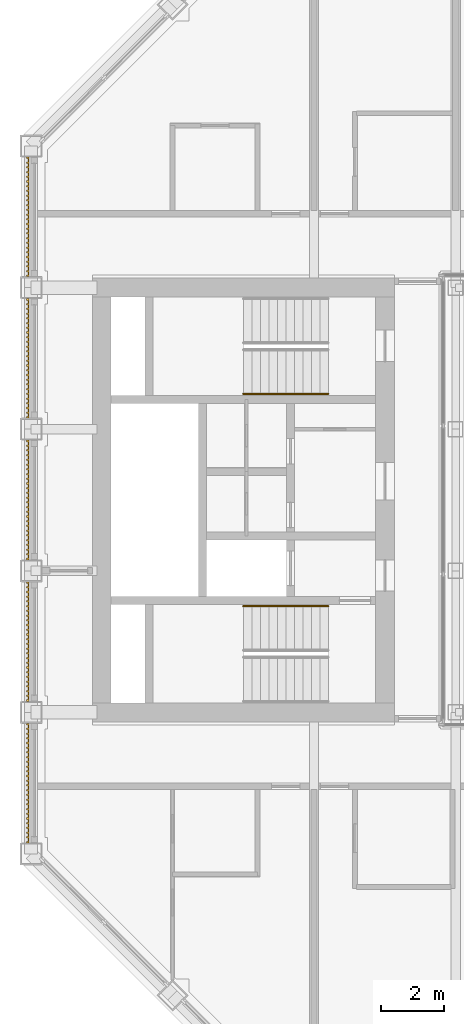
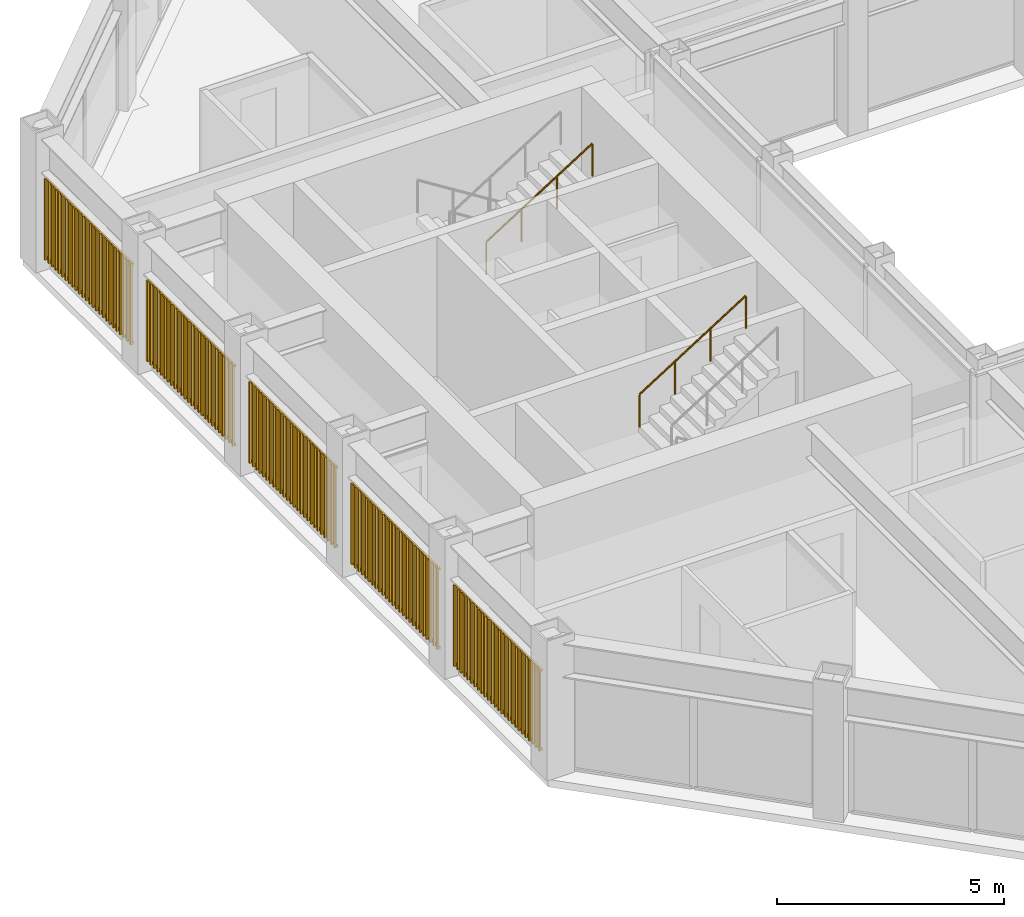
# One storey, part 15 of 17: 2 railings, 1 shading device.
"""IFC4 building model written with IfcOpenShell, lengths in metres."""

from ifc_helpers import new_model, si_unit, direction, frame, origin, origin_2d, place, context, subcontext, project, spatial, rectangle, circle, extrude, material, type_object, element, save


model = new_model("IFC4")

# Units and contexts
model_context = context("Model", 3, precision=1e-05, world=origin(), true_north=direction((0.0, 1.0)))
body_context = subcontext(model_context, "Body", "Model", "MODEL_VIEW")
ifc_project = project(units=[si_unit("LENGTHUNIT", "METRE"), si_unit("AREAUNIT", "SQUARE_METRE"), si_unit("VOLUMEUNIT", "CUBIC_METRE"), si_unit("PLANEANGLEUNIT", "RADIAN"), si_unit("MASSUNIT", "GRAM", prefix="KILO")], contexts=[model_context])

# Site, building, storey
site_placement = place(None, origin())
site = spatial("IfcSite", under=ifc_project, at=site_placement, CompositionType="ELEMENT")
building_placement = place(site_placement, origin())
building = spatial("IfcBuilding", under=site, at=building_placement, Name="Msasa Ring Tower", CompositionType="ELEMENT")
storey_placement = place(building_placement, frame((0.0, 0.0, 238.300048828125)))
storey = spatial("IfcBuildingStorey", under=building, at=storey_placement, Name="L62", CompositionType="ELEMENT", Elevation=238.300048828125)

# Shading device
ifc_material_1 = material(Name="Extruded terracotta on aluminium carriers", Category="masonry")
shading_device_type = type_object("IfcShadingDeviceType", Name="BS1 TERRACOTTA BAGUETTE SCREEN 50x50 AT 150", PredefinedType="USERDEFINED", material=ifc_material_1)
shading_device_placement = place(storey_placement, origin())
element("IfcShadingDevice", 1, at=shading_device_placement, inside=storey, type_object=shading_device_type, Name="Terracotta baguette screen W L62", ObjectType="BAGUETTE", PredefinedType="USERDEFINED", context=body_context, shape_type="SweptSolid", body=[
    extrude(rectangle(XDim=0.06005859375, YDim=0.0400390625, at=origin_2d()), frame((-20.330078125, -10.89990234375, 0.329833984375), z_axis=(0.0, 1.0, 0.0), x_axis=(0.0, 0.0, 1.0)), (0.0, 0.0, 1.0), 3.800048828125),
    extrude(rectangle(XDim=0.06005859375, YDim=0.0400390625, at=origin_2d()), frame((-20.330078125, -10.89990234375, 2.448974609375), z_axis=(0.0, 1.0, 0.0), x_axis=(0.0, 0.0, 1.0)), (0.0, 0.0, 1.0), 3.800048828125),
    extrude(rectangle(XDim=0.050048828125, YDim=0.050048828125, at=origin_2d()), frame((-20.3701171875, -10.875, 0.300048828125), z_axis=(0.0, 0.0, 1.0), x_axis=(0.0, 1.0, 0.0)), (0.0, 0.0, 1.0), 2.178955078125),
    extrude(rectangle(XDim=0.050048828125, YDim=0.050048828125, at=origin_2d()), frame((-20.3701171875, -10.72509765625, 0.300048828125), z_axis=(0.0, 0.0, 1.0), x_axis=(0.0, 1.0, 0.0)), (0.0, 0.0, 1.0), 2.178955078125),
    extrude(rectangle(XDim=0.050048828125, YDim=0.050048828125, at=origin_2d()), frame((-20.3701171875, -10.574951171875, 0.300048828125), z_axis=(0.0, 0.0, 1.0), x_axis=(0.0, 1.0, 0.0)), (0.0, 0.0, 1.0), 2.178955078125),
    extrude(rectangle(XDim=0.050048828125, YDim=0.050048828125, at=origin_2d()), frame((-20.3701171875, -10.425048828125, 0.300048828125), z_axis=(0.0, 0.0, 1.0), x_axis=(0.0, 1.0, 0.0)), (0.0, 0.0, 1.0), 2.178955078125),
    extrude(rectangle(XDim=0.050048828125, YDim=0.050048828125, at=origin_2d()), frame((-20.3701171875, -10.27490234375, 0.300048828125), z_axis=(0.0, 0.0, 1.0), x_axis=(0.0, 1.0, 0.0)), (0.0, 0.0, 1.0), 2.178955078125),
    extrude(rectangle(XDim=0.050048828125, YDim=0.050048828125, at=origin_2d()), frame((-20.3701171875, -10.125, 0.300048828125), z_axis=(0.0, 0.0, 1.0), x_axis=(0.0, 1.0, 0.0)), (0.0, 0.0, 1.0), 2.178955078125),
    extrude(rectangle(XDim=0.050048828125, YDim=0.050048828125, at=origin_2d()), frame((-20.3701171875, -9.97509765625, 0.300048828125), z_axis=(0.0, 0.0, 1.0), x_axis=(0.0, 1.0, 0.0)), (0.0, 0.0, 1.0), 2.178955078125),
    extrude(rectangle(XDim=0.050048828125, YDim=0.050048828125, at=origin_2d()), frame((-20.3701171875, -9.824951171875, 0.300048828125), z_axis=(0.0, 0.0, 1.0), x_axis=(0.0, 1.0, 0.0)), (0.0, 0.0, 1.0), 2.178955078125),
    extrude(rectangle(XDim=0.050048828125, YDim=0.050048828125, at=origin_2d()), frame((-20.3701171875, -9.675048828125, 0.300048828125), z_axis=(0.0, 0.0, 1.0), x_axis=(0.0, 1.0, 0.0)), (0.0, 0.0, 1.0), 2.178955078125),
    extrude(rectangle(XDim=0.050048828125, YDim=0.050048828125, at=origin_2d()), frame((-20.3701171875, -9.52490234375, 0.300048828125), z_axis=(0.0, 0.0, 1.0), x_axis=(0.0, 1.0, 0.0)), (0.0, 0.0, 1.0), 2.178955078125),
    extrude(rectangle(XDim=0.050048828125, YDim=0.050048828125, at=origin_2d()), frame((-20.3701171875, -9.375, 0.300048828125), z_axis=(0.0, 0.0, 1.0), x_axis=(0.0, 1.0, 0.0)), (0.0, 0.0, 1.0), 2.178955078125),
    extrude(rectangle(XDim=0.050048828125, YDim=0.050048828125, at=origin_2d()), frame((-20.3701171875, -9.22509765625, 0.300048828125), z_axis=(0.0, 0.0, 1.0), x_axis=(0.0, 1.0, 0.0)), (0.0, 0.0, 1.0), 2.178955078125),
    extrude(rectangle(XDim=0.050048828125, YDim=0.050048828125, at=origin_2d()), frame((-20.3701171875, -9.074951171875, 0.300048828125), z_axis=(0.0, 0.0, 1.0), x_axis=(0.0, 1.0, 0.0)), (0.0, 0.0, 1.0), 2.178955078125),
    extrude(rectangle(XDim=0.050048828125, YDim=0.050048828125, at=origin_2d()), frame((-20.3701171875, -8.925048828125, 0.300048828125), z_axis=(0.0, 0.0, 1.0), x_axis=(0.0, 1.0, 0.0)), (0.0, 0.0, 1.0), 2.178955078125),
    extrude(rectangle(XDim=0.050048828125, YDim=0.050048828125, at=origin_2d()), frame((-20.3701171875, -8.77490234375, 0.300048828125), z_axis=(0.0, 0.0, 1.0), x_axis=(0.0, 1.0, 0.0)), (0.0, 0.0, 1.0), 2.178955078125),
    extrude(rectangle(XDim=0.050048828125, YDim=0.050048828125, at=origin_2d()), frame((-20.3701171875, -8.625, 0.300048828125), z_axis=(0.0, 0.0, 1.0), x_axis=(0.0, 1.0, 0.0)), (0.0, 0.0, 1.0), 2.178955078125),
    extrude(rectangle(XDim=0.050048828125, YDim=0.050048828125, at=origin_2d()), frame((-20.3701171875, -8.47509765625, 0.300048828125), z_axis=(0.0, 0.0, 1.0), x_axis=(0.0, 1.0, 0.0)), (0.0, 0.0, 1.0), 2.178955078125),
    extrude(rectangle(XDim=0.050048828125, YDim=0.050048828125, at=origin_2d()), frame((-20.3701171875, -8.324951171875, 0.300048828125), z_axis=(0.0, 0.0, 1.0), x_axis=(0.0, 1.0, 0.0)), (0.0, 0.0, 1.0), 2.178955078125),
    extrude(rectangle(XDim=0.050048828125, YDim=0.050048828125, at=origin_2d()), frame((-20.3701171875, -8.175048828125, 0.300048828125), z_axis=(0.0, 0.0, 1.0), x_axis=(0.0, 1.0, 0.0)), (0.0, 0.0, 1.0), 2.178955078125),
    extrude(rectangle(XDim=0.050048828125, YDim=0.050048828125, at=origin_2d()), frame((-20.3701171875, -8.02490234375, 0.300048828125), z_axis=(0.0, 0.0, 1.0), x_axis=(0.0, 1.0, 0.0)), (0.0, 0.0, 1.0), 2.178955078125),
    extrude(rectangle(XDim=0.050048828125, YDim=0.050048828125, at=origin_2d()), frame((-20.3701171875, -7.875, 0.300048828125), z_axis=(0.0, 0.0, 1.0), x_axis=(0.0, 1.0, 0.0)), (0.0, 0.0, 1.0), 2.178955078125),
    extrude(rectangle(XDim=0.050048828125, YDim=0.050048828125, at=origin_2d()), frame((-20.3701171875, -7.72509765625, 0.300048828125), z_axis=(0.0, 0.0, 1.0), x_axis=(0.0, 1.0, 0.0)), (0.0, 0.0, 1.0), 2.178955078125),
    extrude(rectangle(XDim=0.050048828125, YDim=0.050048828125, at=origin_2d()), frame((-20.3701171875, -7.574951171875, 0.300048828125), z_axis=(0.0, 0.0, 1.0), x_axis=(0.0, 1.0, 0.0)), (0.0, 0.0, 1.0), 2.178955078125),
    extrude(rectangle(XDim=0.050048828125, YDim=0.050048828125, at=origin_2d()), frame((-20.3701171875, -7.425048828125, 0.300048828125), z_axis=(0.0, 0.0, 1.0), x_axis=(0.0, 1.0, 0.0)), (0.0, 0.0, 1.0), 2.178955078125),
    extrude(rectangle(XDim=0.050048828125, YDim=0.050048828125, at=origin_2d()), frame((-20.3701171875, -7.27490234375, 0.300048828125), z_axis=(0.0, 0.0, 1.0), x_axis=(0.0, 1.0, 0.0)), (0.0, 0.0, 1.0), 2.178955078125),
    extrude(rectangle(XDim=0.050048828125, YDim=0.050048828125, at=origin_2d()), frame((-20.3701171875, -7.125, 0.300048828125), z_axis=(0.0, 0.0, 1.0), x_axis=(0.0, 1.0, 0.0)), (0.0, 0.0, 1.0), 2.178955078125),
    extrude(rectangle(XDim=0.06005859375, YDim=0.0400390625, at=origin_2d()), frame((-20.330078125, -6.39990234375, 0.329833984375), z_axis=(0.0, 1.0, 0.0), x_axis=(0.0, 0.0, 1.0)), (0.0, 0.0, 1.0), 3.800048828125),
    extrude(rectangle(XDim=0.06005859375, YDim=0.0400390625, at=origin_2d()), frame((-20.330078125, -6.39990234375, 2.448974609375), z_axis=(0.0, 1.0, 0.0), x_axis=(0.0, 0.0, 1.0)), (0.0, 0.0, 1.0), 3.800048828125),
    extrude(rectangle(XDim=0.050048828125, YDim=0.050048828125, at=origin_2d()), frame((-20.3701171875, -6.375, 0.300048828125), z_axis=(0.0, 0.0, 1.0), x_axis=(0.0, 1.0, 0.0)), (0.0, 0.0, 1.0), 2.178955078125),
    extrude(rectangle(XDim=0.050048828125, YDim=0.050048828125, at=origin_2d()), frame((-20.3701171875, -6.22509765625, 0.300048828125), z_axis=(0.0, 0.0, 1.0), x_axis=(0.0, 1.0, 0.0)), (0.0, 0.0, 1.0), 2.178955078125),
    extrude(rectangle(XDim=0.050048828125, YDim=0.050048828125, at=origin_2d()), frame((-20.3701171875, -6.074951171875, 0.300048828125), z_axis=(0.0, 0.0, 1.0), x_axis=(0.0, 1.0, 0.0)), (0.0, 0.0, 1.0), 2.178955078125),
    extrude(rectangle(XDim=0.050048828125, YDim=0.050048828125, at=origin_2d()), frame((-20.3701171875, -5.925048828125, 0.300048828125), z_axis=(0.0, 0.0, 1.0), x_axis=(0.0, 1.0, 0.0)), (0.0, 0.0, 1.0), 2.178955078125),
    extrude(rectangle(XDim=0.050048828125, YDim=0.050048828125, at=origin_2d()), frame((-20.3701171875, -5.77490234375, 0.300048828125), z_axis=(0.0, 0.0, 1.0), x_axis=(0.0, 1.0, 0.0)), (0.0, 0.0, 1.0), 2.178955078125),
    extrude(rectangle(XDim=0.050048828125, YDim=0.050048828125, at=origin_2d()), frame((-20.3701171875, -5.625, 0.300048828125), z_axis=(0.0, 0.0, 1.0), x_axis=(0.0, 1.0, 0.0)), (0.0, 0.0, 1.0), 2.178955078125),
    extrude(rectangle(XDim=0.050048828125, YDim=0.050048828125, at=origin_2d()), frame((-20.3701171875, -5.47509765625, 0.300048828125), z_axis=(0.0, 0.0, 1.0), x_axis=(0.0, 1.0, 0.0)), (0.0, 0.0, 1.0), 2.178955078125),
    extrude(rectangle(XDim=0.050048828125, YDim=0.050048828125, at=origin_2d()), frame((-20.3701171875, -5.324951171875, 0.300048828125), z_axis=(0.0, 0.0, 1.0), x_axis=(0.0, 1.0, 0.0)), (0.0, 0.0, 1.0), 2.178955078125),
    extrude(rectangle(XDim=0.050048828125, YDim=0.050048828125, at=origin_2d()), frame((-20.3701171875, -5.175048828125, 0.300048828125), z_axis=(0.0, 0.0, 1.0), x_axis=(0.0, 1.0, 0.0)), (0.0, 0.0, 1.0), 2.178955078125),
    extrude(rectangle(XDim=0.050048828125, YDim=0.050048828125, at=origin_2d()), frame((-20.3701171875, -5.02490234375, 0.300048828125), z_axis=(0.0, 0.0, 1.0), x_axis=(0.0, 1.0, 0.0)), (0.0, 0.0, 1.0), 2.178955078125),
    extrude(rectangle(XDim=0.050048828125, YDim=0.050048828125, at=origin_2d()), frame((-20.3701171875, -4.875, 0.300048828125), z_axis=(0.0, 0.0, 1.0), x_axis=(0.0, 1.0, 0.0)), (0.0, 0.0, 1.0), 2.178955078125),
    extrude(rectangle(XDim=0.050048828125, YDim=0.050048828125, at=origin_2d()), frame((-20.3701171875, -4.72509765625, 0.300048828125), z_axis=(0.0, 0.0, 1.0), x_axis=(0.0, 1.0, 0.0)), (0.0, 0.0, 1.0), 2.178955078125),
    extrude(rectangle(XDim=0.050048828125, YDim=0.050048828125, at=origin_2d()), frame((-20.3701171875, -4.574951171875, 0.300048828125), z_axis=(0.0, 0.0, 1.0), x_axis=(0.0, 1.0, 0.0)), (0.0, 0.0, 1.0), 2.178955078125),
    extrude(rectangle(XDim=0.050048828125, YDim=0.050048828125, at=origin_2d()), frame((-20.3701171875, -4.425048828125, 0.300048828125), z_axis=(0.0, 0.0, 1.0), x_axis=(0.0, 1.0, 0.0)), (0.0, 0.0, 1.0), 2.178955078125),
    extrude(rectangle(XDim=0.050048828125, YDim=0.050048828125, at=origin_2d()), frame((-20.3701171875, -4.27490234375, 0.300048828125), z_axis=(0.0, 0.0, 1.0), x_axis=(0.0, 1.0, 0.0)), (0.0, 0.0, 1.0), 2.178955078125),
    extrude(rectangle(XDim=0.050048828125, YDim=0.050048828125, at=origin_2d()), frame((-20.3701171875, -4.125, 0.300048828125), z_axis=(0.0, 0.0, 1.0), x_axis=(0.0, 1.0, 0.0)), (0.0, 0.0, 1.0), 2.178955078125),
    extrude(rectangle(XDim=0.050048828125, YDim=0.050048828125, at=origin_2d()), frame((-20.3701171875, -3.97509765625, 0.300048828125), z_axis=(0.0, 0.0, 1.0), x_axis=(0.0, 1.0, 0.0)), (0.0, 0.0, 1.0), 2.178955078125),
    extrude(rectangle(XDim=0.050048828125, YDim=0.050048828125, at=origin_2d()), frame((-20.3701171875, -3.824951171875, 0.300048828125), z_axis=(0.0, 0.0, 1.0), x_axis=(0.0, 1.0, 0.0)), (0.0, 0.0, 1.0), 2.178955078125),
    extrude(rectangle(XDim=0.050048828125, YDim=0.050048828125, at=origin_2d()), frame((-20.3701171875, -3.675048828125, 0.300048828125), z_axis=(0.0, 0.0, 1.0), x_axis=(0.0, 1.0, 0.0)), (0.0, 0.0, 1.0), 2.178955078125),
    extrude(rectangle(XDim=0.050048828125, YDim=0.050048828125, at=origin_2d()), frame((-20.3701171875, -3.52490234375, 0.300048828125), z_axis=(0.0, 0.0, 1.0), x_axis=(0.0, 1.0, 0.0)), (0.0, 0.0, 1.0), 2.178955078125),
    extrude(rectangle(XDim=0.050048828125, YDim=0.050048828125, at=origin_2d()), frame((-20.3701171875, -3.375, 0.300048828125), z_axis=(0.0, 0.0, 1.0), x_axis=(0.0, 1.0, 0.0)), (0.0, 0.0, 1.0), 2.178955078125),
    extrude(rectangle(XDim=0.050048828125, YDim=0.050048828125, at=origin_2d()), frame((-20.3701171875, -3.22509765625, 0.300048828125), z_axis=(0.0, 0.0, 1.0), x_axis=(0.0, 1.0, 0.0)), (0.0, 0.0, 1.0), 2.178955078125),
    extrude(rectangle(XDim=0.050048828125, YDim=0.050048828125, at=origin_2d()), frame((-20.3701171875, -3.074951171875, 0.300048828125), z_axis=(0.0, 0.0, 1.0), x_axis=(0.0, 1.0, 0.0)), (0.0, 0.0, 1.0), 2.178955078125),
    extrude(rectangle(XDim=0.050048828125, YDim=0.050048828125, at=origin_2d()), frame((-20.3701171875, -2.925048828125, 0.300048828125), z_axis=(0.0, 0.0, 1.0), x_axis=(0.0, 1.0, 0.0)), (0.0, 0.0, 1.0), 2.178955078125),
    extrude(rectangle(XDim=0.050048828125, YDim=0.050048828125, at=origin_2d()), frame((-20.3701171875, -2.77490234375, 0.300048828125), z_axis=(0.0, 0.0, 1.0), x_axis=(0.0, 1.0, 0.0)), (0.0, 0.0, 1.0), 2.178955078125),
    extrude(rectangle(XDim=0.050048828125, YDim=0.050048828125, at=origin_2d()), frame((-20.3701171875, -2.625, 0.300048828125), z_axis=(0.0, 0.0, 1.0), x_axis=(0.0, 1.0, 0.0)), (0.0, 0.0, 1.0), 2.178955078125),
    extrude(rectangle(XDim=0.06005859375, YDim=0.0400390625, at=origin_2d()), frame((-20.330078125, -1.89990234375, 0.329833984375), z_axis=(0.0, 1.0, 0.0), x_axis=(0.0, 0.0, 1.0)), (0.0, 0.0, 1.0), 3.800048828125),
    extrude(rectangle(XDim=0.06005859375, YDim=0.0400390625, at=origin_2d()), frame((-20.330078125, -1.89990234375, 2.448974609375), z_axis=(0.0, 1.0, 0.0), x_axis=(0.0, 0.0, 1.0)), (0.0, 0.0, 1.0), 3.800048828125),
    extrude(rectangle(XDim=0.050048828125, YDim=0.050048828125, at=origin_2d()), frame((-20.3701171875, -1.875, 0.300048828125), z_axis=(0.0, 0.0, 1.0), x_axis=(0.0, 1.0, 0.0)), (0.0, 0.0, 1.0), 2.178955078125),
    extrude(rectangle(XDim=0.050048828125, YDim=0.050048828125, at=origin_2d()), frame((-20.3701171875, -1.72509765625, 0.300048828125), z_axis=(0.0, 0.0, 1.0), x_axis=(0.0, 1.0, 0.0)), (0.0, 0.0, 1.0), 2.178955078125),
    extrude(rectangle(XDim=0.050048828125, YDim=0.050048828125, at=origin_2d()), frame((-20.3701171875, -1.574951171875, 0.300048828125), z_axis=(0.0, 0.0, 1.0), x_axis=(0.0, 1.0, 0.0)), (0.0, 0.0, 1.0), 2.178955078125),
    extrude(rectangle(XDim=0.050048828125, YDim=0.050048828125, at=origin_2d()), frame((-20.3701171875, -1.425048828125, 0.300048828125), z_axis=(0.0, 0.0, 1.0), x_axis=(0.0, 1.0, 0.0)), (0.0, 0.0, 1.0), 2.178955078125),
    extrude(rectangle(XDim=0.050048828125, YDim=0.050048828125, at=origin_2d()), frame((-20.3701171875, -1.27490234375, 0.300048828125), z_axis=(0.0, 0.0, 1.0), x_axis=(0.0, 1.0, 0.0)), (0.0, 0.0, 1.0), 2.178955078125),
    extrude(rectangle(XDim=0.050048828125, YDim=0.050048828125, at=origin_2d()), frame((-20.3701171875, -1.125, 0.300048828125), z_axis=(0.0, 0.0, 1.0), x_axis=(0.0, 1.0, 0.0)), (0.0, 0.0, 1.0), 2.178955078125),
    extrude(rectangle(XDim=0.050048828125, YDim=0.050048828125, at=origin_2d()), frame((-20.3701171875, -0.97509765625, 0.300048828125), z_axis=(0.0, 0.0, 1.0), x_axis=(0.0, 1.0, 0.0)), (0.0, 0.0, 1.0), 2.178955078125),
    extrude(rectangle(XDim=0.050048828125, YDim=0.050048828125, at=origin_2d()), frame((-20.3701171875, -0.824951171875, 0.300048828125), z_axis=(0.0, 0.0, 1.0), x_axis=(0.0, 1.0, 0.0)), (0.0, 0.0, 1.0), 2.178955078125),
    extrude(rectangle(XDim=0.050048828125, YDim=0.050048828125, at=origin_2d()), frame((-20.3701171875, -0.675048828125, 0.300048828125), z_axis=(0.0, 0.0, 1.0), x_axis=(0.0, 1.0, 0.0)), (0.0, 0.0, 1.0), 2.178955078125),
    extrude(rectangle(XDim=0.050048828125, YDim=0.050048828125, at=origin_2d()), frame((-20.3701171875, -0.52490234375, 0.300048828125), z_axis=(0.0, 0.0, 1.0), x_axis=(0.0, 1.0, 0.0)), (0.0, 0.0, 1.0), 2.178955078125),
    extrude(rectangle(XDim=0.050048828125, YDim=0.050048828125, at=origin_2d()), frame((-20.3701171875, -0.375, 0.300048828125), z_axis=(0.0, 0.0, 1.0), x_axis=(0.0, 1.0, 0.0)), (0.0, 0.0, 1.0), 2.178955078125),
    extrude(rectangle(XDim=0.050048828125, YDim=0.050048828125, at=origin_2d()), frame((-20.3701171875, -0.22509765625, 0.300048828125), z_axis=(0.0, 0.0, 1.0), x_axis=(0.0, 1.0, 0.0)), (0.0, 0.0, 1.0), 2.178955078125),
    extrude(rectangle(XDim=0.050048828125, YDim=0.050048828125, at=origin_2d()), frame((-20.3701171875, -0.074951171875, 0.300048828125), z_axis=(0.0, 0.0, 1.0), x_axis=(0.0, 1.0, 0.0)), (0.0, 0.0, 1.0), 2.178955078125),
    extrude(rectangle(XDim=0.050048828125, YDim=0.050048828125, at=origin_2d()), frame((-20.3701171875, 0.074951171875, 0.300048828125), z_axis=(0.0, 0.0, 1.0), x_axis=(0.0, 1.0, 0.0)), (0.0, 0.0, 1.0), 2.178955078125),
    extrude(rectangle(XDim=0.050048828125, YDim=0.050048828125, at=origin_2d()), frame((-20.3701171875, 0.22509765625, 0.300048828125), z_axis=(0.0, 0.0, 1.0), x_axis=(0.0, 1.0, 0.0)), (0.0, 0.0, 1.0), 2.178955078125),
    extrude(rectangle(XDim=0.050048828125, YDim=0.050048828125, at=origin_2d()), frame((-20.3701171875, 0.375, 0.300048828125), z_axis=(0.0, 0.0, 1.0), x_axis=(0.0, 1.0, 0.0)), (0.0, 0.0, 1.0), 2.178955078125),
    extrude(rectangle(XDim=0.050048828125, YDim=0.050048828125, at=origin_2d()), frame((-20.3701171875, 0.52490234375, 0.300048828125), z_axis=(0.0, 0.0, 1.0), x_axis=(0.0, 1.0, 0.0)), (0.0, 0.0, 1.0), 2.178955078125),
    extrude(rectangle(XDim=0.050048828125, YDim=0.050048828125, at=origin_2d()), frame((-20.3701171875, 0.675048828125, 0.300048828125), z_axis=(0.0, 0.0, 1.0), x_axis=(0.0, 1.0, 0.0)), (0.0, 0.0, 1.0), 2.178955078125),
    extrude(rectangle(XDim=0.050048828125, YDim=0.050048828125, at=origin_2d()), frame((-20.3701171875, 0.824951171875, 0.300048828125), z_axis=(0.0, 0.0, 1.0), x_axis=(0.0, 1.0, 0.0)), (0.0, 0.0, 1.0), 2.178955078125),
    extrude(rectangle(XDim=0.050048828125, YDim=0.050048828125, at=origin_2d()), frame((-20.3701171875, 0.97509765625, 0.300048828125), z_axis=(0.0, 0.0, 1.0), x_axis=(0.0, 1.0, 0.0)), (0.0, 0.0, 1.0), 2.178955078125),
    extrude(rectangle(XDim=0.050048828125, YDim=0.050048828125, at=origin_2d()), frame((-20.3701171875, 1.125, 0.300048828125), z_axis=(0.0, 0.0, 1.0), x_axis=(0.0, 1.0, 0.0)), (0.0, 0.0, 1.0), 2.178955078125),
    extrude(rectangle(XDim=0.050048828125, YDim=0.050048828125, at=origin_2d()), frame((-20.3701171875, 1.27490234375, 0.300048828125), z_axis=(0.0, 0.0, 1.0), x_axis=(0.0, 1.0, 0.0)), (0.0, 0.0, 1.0), 2.178955078125),
    extrude(rectangle(XDim=0.050048828125, YDim=0.050048828125, at=origin_2d()), frame((-20.3701171875, 1.425048828125, 0.300048828125), z_axis=(0.0, 0.0, 1.0), x_axis=(0.0, 1.0, 0.0)), (0.0, 0.0, 1.0), 2.178955078125),
    extrude(rectangle(XDim=0.050048828125, YDim=0.050048828125, at=origin_2d()), frame((-20.3701171875, 1.574951171875, 0.300048828125), z_axis=(0.0, 0.0, 1.0), x_axis=(0.0, 1.0, 0.0)), (0.0, 0.0, 1.0), 2.178955078125),
    extrude(rectangle(XDim=0.050048828125, YDim=0.050048828125, at=origin_2d()), frame((-20.3701171875, 1.72509765625, 0.300048828125), z_axis=(0.0, 0.0, 1.0), x_axis=(0.0, 1.0, 0.0)), (0.0, 0.0, 1.0), 2.178955078125),
    extrude(rectangle(XDim=0.050048828125, YDim=0.050048828125, at=origin_2d()), frame((-20.3701171875, 1.875, 0.300048828125), z_axis=(0.0, 0.0, 1.0), x_axis=(0.0, 1.0, 0.0)), (0.0, 0.0, 1.0), 2.178955078125),
    extrude(rectangle(XDim=0.06005859375, YDim=0.0400390625, at=origin_2d()), frame((-20.330078125, 2.60009765625, 0.329833984375), z_axis=(0.0, 1.0, 0.0), x_axis=(0.0, 0.0, 1.0)), (0.0, 0.0, 1.0), 3.800048828125),
    extrude(rectangle(XDim=0.06005859375, YDim=0.0400390625, at=origin_2d()), frame((-20.330078125, 2.60009765625, 2.448974609375), z_axis=(0.0, 1.0, 0.0), x_axis=(0.0, 0.0, 1.0)), (0.0, 0.0, 1.0), 3.800048828125),
    extrude(rectangle(XDim=0.050048828125, YDim=0.050048828125, at=origin_2d()), frame((-20.3701171875, 2.625, 0.300048828125), z_axis=(0.0, 0.0, 1.0), x_axis=(0.0, 1.0, 0.0)), (0.0, 0.0, 1.0), 2.178955078125),
    extrude(rectangle(XDim=0.050048828125, YDim=0.050048828125, at=origin_2d()), frame((-20.3701171875, 2.77490234375, 0.300048828125), z_axis=(0.0, 0.0, 1.0), x_axis=(0.0, 1.0, 0.0)), (0.0, 0.0, 1.0), 2.178955078125),
    extrude(rectangle(XDim=0.050048828125, YDim=0.050048828125, at=origin_2d()), frame((-20.3701171875, 2.925048828125, 0.300048828125), z_axis=(0.0, 0.0, 1.0), x_axis=(0.0, 1.0, 0.0)), (0.0, 0.0, 1.0), 2.178955078125),
    extrude(rectangle(XDim=0.050048828125, YDim=0.050048828125, at=origin_2d()), frame((-20.3701171875, 3.074951171875, 0.300048828125), z_axis=(0.0, 0.0, 1.0), x_axis=(0.0, 1.0, 0.0)), (0.0, 0.0, 1.0), 2.178955078125),
    extrude(rectangle(XDim=0.050048828125, YDim=0.050048828125, at=origin_2d()), frame((-20.3701171875, 3.22509765625, 0.300048828125), z_axis=(0.0, 0.0, 1.0), x_axis=(0.0, 1.0, 0.0)), (0.0, 0.0, 1.0), 2.178955078125),
    extrude(rectangle(XDim=0.050048828125, YDim=0.050048828125, at=origin_2d()), frame((-20.3701171875, 3.375, 0.300048828125), z_axis=(0.0, 0.0, 1.0), x_axis=(0.0, 1.0, 0.0)), (0.0, 0.0, 1.0), 2.178955078125),
    extrude(rectangle(XDim=0.050048828125, YDim=0.050048828125, at=origin_2d()), frame((-20.3701171875, 3.52490234375, 0.300048828125), z_axis=(0.0, 0.0, 1.0), x_axis=(0.0, 1.0, 0.0)), (0.0, 0.0, 1.0), 2.178955078125),
    extrude(rectangle(XDim=0.050048828125, YDim=0.050048828125, at=origin_2d()), frame((-20.3701171875, 3.675048828125, 0.300048828125), z_axis=(0.0, 0.0, 1.0), x_axis=(0.0, 1.0, 0.0)), (0.0, 0.0, 1.0), 2.178955078125),
    extrude(rectangle(XDim=0.050048828125, YDim=0.050048828125, at=origin_2d()), frame((-20.3701171875, 3.824951171875, 0.300048828125), z_axis=(0.0, 0.0, 1.0), x_axis=(0.0, 1.0, 0.0)), (0.0, 0.0, 1.0), 2.178955078125),
    extrude(rectangle(XDim=0.050048828125, YDim=0.050048828125, at=origin_2d()), frame((-20.3701171875, 3.97509765625, 0.300048828125), z_axis=(0.0, 0.0, 1.0), x_axis=(0.0, 1.0, 0.0)), (0.0, 0.0, 1.0), 2.178955078125),
    extrude(rectangle(XDim=0.050048828125, YDim=0.050048828125, at=origin_2d()), frame((-20.3701171875, 4.125, 0.300048828125), z_axis=(0.0, 0.0, 1.0), x_axis=(0.0, 1.0, 0.0)), (0.0, 0.0, 1.0), 2.178955078125),
    extrude(rectangle(XDim=0.050048828125, YDim=0.050048828125, at=origin_2d()), frame((-20.3701171875, 4.27490234375, 0.300048828125), z_axis=(0.0, 0.0, 1.0), x_axis=(0.0, 1.0, 0.0)), (0.0, 0.0, 1.0), 2.178955078125),
    extrude(rectangle(XDim=0.050048828125, YDim=0.050048828125, at=origin_2d()), frame((-20.3701171875, 4.425048828125, 0.300048828125), z_axis=(0.0, 0.0, 1.0), x_axis=(0.0, 1.0, 0.0)), (0.0, 0.0, 1.0), 2.178955078125),
    extrude(rectangle(XDim=0.050048828125, YDim=0.050048828125, at=origin_2d()), frame((-20.3701171875, 4.574951171875, 0.300048828125), z_axis=(0.0, 0.0, 1.0), x_axis=(0.0, 1.0, 0.0)), (0.0, 0.0, 1.0), 2.178955078125),
    extrude(rectangle(XDim=0.050048828125, YDim=0.050048828125, at=origin_2d()), frame((-20.3701171875, 4.72509765625, 0.300048828125), z_axis=(0.0, 0.0, 1.0), x_axis=(0.0, 1.0, 0.0)), (0.0, 0.0, 1.0), 2.178955078125),
    extrude(rectangle(XDim=0.050048828125, YDim=0.050048828125, at=origin_2d()), frame((-20.3701171875, 4.875, 0.300048828125), z_axis=(0.0, 0.0, 1.0), x_axis=(0.0, 1.0, 0.0)), (0.0, 0.0, 1.0), 2.178955078125),
    extrude(rectangle(XDim=0.050048828125, YDim=0.050048828125, at=origin_2d()), frame((-20.3701171875, 5.02490234375, 0.300048828125), z_axis=(0.0, 0.0, 1.0), x_axis=(0.0, 1.0, 0.0)), (0.0, 0.0, 1.0), 2.178955078125),
    extrude(rectangle(XDim=0.050048828125, YDim=0.050048828125, at=origin_2d()), frame((-20.3701171875, 5.175048828125, 0.300048828125), z_axis=(0.0, 0.0, 1.0), x_axis=(0.0, 1.0, 0.0)), (0.0, 0.0, 1.0), 2.178955078125),
    extrude(rectangle(XDim=0.050048828125, YDim=0.050048828125, at=origin_2d()), frame((-20.3701171875, 5.324951171875, 0.300048828125), z_axis=(0.0, 0.0, 1.0), x_axis=(0.0, 1.0, 0.0)), (0.0, 0.0, 1.0), 2.178955078125),
    extrude(rectangle(XDim=0.050048828125, YDim=0.050048828125, at=origin_2d()), frame((-20.3701171875, 5.47509765625, 0.300048828125), z_axis=(0.0, 0.0, 1.0), x_axis=(0.0, 1.0, 0.0)), (0.0, 0.0, 1.0), 2.178955078125),
    extrude(rectangle(XDim=0.050048828125, YDim=0.050048828125, at=origin_2d()), frame((-20.3701171875, 5.625, 0.300048828125), z_axis=(0.0, 0.0, 1.0), x_axis=(0.0, 1.0, 0.0)), (0.0, 0.0, 1.0), 2.178955078125),
    extrude(rectangle(XDim=0.050048828125, YDim=0.050048828125, at=origin_2d()), frame((-20.3701171875, 5.77490234375, 0.300048828125), z_axis=(0.0, 0.0, 1.0), x_axis=(0.0, 1.0, 0.0)), (0.0, 0.0, 1.0), 2.178955078125),
    extrude(rectangle(XDim=0.050048828125, YDim=0.050048828125, at=origin_2d()), frame((-20.3701171875, 5.925048828125, 0.300048828125), z_axis=(0.0, 0.0, 1.0), x_axis=(0.0, 1.0, 0.0)), (0.0, 0.0, 1.0), 2.178955078125),
    extrude(rectangle(XDim=0.050048828125, YDim=0.050048828125, at=origin_2d()), frame((-20.3701171875, 6.074951171875, 0.300048828125), z_axis=(0.0, 0.0, 1.0), x_axis=(0.0, 1.0, 0.0)), (0.0, 0.0, 1.0), 2.178955078125),
    extrude(rectangle(XDim=0.050048828125, YDim=0.050048828125, at=origin_2d()), frame((-20.3701171875, 6.22509765625, 0.300048828125), z_axis=(0.0, 0.0, 1.0), x_axis=(0.0, 1.0, 0.0)), (0.0, 0.0, 1.0), 2.178955078125),
    extrude(rectangle(XDim=0.050048828125, YDim=0.050048828125, at=origin_2d()), frame((-20.3701171875, 6.375, 0.300048828125), z_axis=(0.0, 0.0, 1.0), x_axis=(0.0, 1.0, 0.0)), (0.0, 0.0, 1.0), 2.178955078125),
    extrude(rectangle(XDim=0.06005859375, YDim=0.0400390625, at=origin_2d()), frame((-20.330078125, 7.10009765625, 0.329833984375), z_axis=(0.0, 1.0, 0.0), x_axis=(0.0, 0.0, 1.0)), (0.0, 0.0, 1.0), 3.800048828125),
    extrude(rectangle(XDim=0.06005859375, YDim=0.0400390625, at=origin_2d()), frame((-20.330078125, 7.10009765625, 2.448974609375), z_axis=(0.0, 1.0, 0.0), x_axis=(0.0, 0.0, 1.0)), (0.0, 0.0, 1.0), 3.800048828125),
    extrude(rectangle(XDim=0.050048828125, YDim=0.050048828125, at=origin_2d()), frame((-20.3701171875, 7.125, 0.300048828125), z_axis=(0.0, 0.0, 1.0), x_axis=(0.0, 1.0, 0.0)), (0.0, 0.0, 1.0), 2.178955078125),
    extrude(rectangle(XDim=0.050048828125, YDim=0.050048828125, at=origin_2d()), frame((-20.3701171875, 7.27490234375, 0.300048828125), z_axis=(0.0, 0.0, 1.0), x_axis=(0.0, 1.0, 0.0)), (0.0, 0.0, 1.0), 2.178955078125),
    extrude(rectangle(XDim=0.050048828125, YDim=0.050048828125, at=origin_2d()), frame((-20.3701171875, 7.425048828125, 0.300048828125), z_axis=(0.0, 0.0, 1.0), x_axis=(0.0, 1.0, 0.0)), (0.0, 0.0, 1.0), 2.178955078125),
    extrude(rectangle(XDim=0.050048828125, YDim=0.050048828125, at=origin_2d()), frame((-20.3701171875, 7.574951171875, 0.300048828125), z_axis=(0.0, 0.0, 1.0), x_axis=(0.0, 1.0, 0.0)), (0.0, 0.0, 1.0), 2.178955078125),
    extrude(rectangle(XDim=0.050048828125, YDim=0.050048828125, at=origin_2d()), frame((-20.3701171875, 7.72509765625, 0.300048828125), z_axis=(0.0, 0.0, 1.0), x_axis=(0.0, 1.0, 0.0)), (0.0, 0.0, 1.0), 2.178955078125),
    extrude(rectangle(XDim=0.050048828125, YDim=0.050048828125, at=origin_2d()), frame((-20.3701171875, 7.875, 0.300048828125), z_axis=(0.0, 0.0, 1.0), x_axis=(0.0, 1.0, 0.0)), (0.0, 0.0, 1.0), 2.178955078125),
    extrude(rectangle(XDim=0.050048828125, YDim=0.050048828125, at=origin_2d()), frame((-20.3701171875, 8.02490234375, 0.300048828125), z_axis=(0.0, 0.0, 1.0), x_axis=(0.0, 1.0, 0.0)), (0.0, 0.0, 1.0), 2.178955078125),
    extrude(rectangle(XDim=0.050048828125, YDim=0.050048828125, at=origin_2d()), frame((-20.3701171875, 8.175048828125, 0.300048828125), z_axis=(0.0, 0.0, 1.0), x_axis=(0.0, 1.0, 0.0)), (0.0, 0.0, 1.0), 2.178955078125),
    extrude(rectangle(XDim=0.050048828125, YDim=0.050048828125, at=origin_2d()), frame((-20.3701171875, 8.324951171875, 0.300048828125), z_axis=(0.0, 0.0, 1.0), x_axis=(0.0, 1.0, 0.0)), (0.0, 0.0, 1.0), 2.178955078125),
    extrude(rectangle(XDim=0.050048828125, YDim=0.050048828125, at=origin_2d()), frame((-20.3701171875, 8.47509765625, 0.300048828125), z_axis=(0.0, 0.0, 1.0), x_axis=(0.0, 1.0, 0.0)), (0.0, 0.0, 1.0), 2.178955078125),
    extrude(rectangle(XDim=0.050048828125, YDim=0.050048828125, at=origin_2d()), frame((-20.3701171875, 8.625, 0.300048828125), z_axis=(0.0, 0.0, 1.0), x_axis=(0.0, 1.0, 0.0)), (0.0, 0.0, 1.0), 2.178955078125),
    extrude(rectangle(XDim=0.050048828125, YDim=0.050048828125, at=origin_2d()), frame((-20.3701171875, 8.77490234375, 0.300048828125), z_axis=(0.0, 0.0, 1.0), x_axis=(0.0, 1.0, 0.0)), (0.0, 0.0, 1.0), 2.178955078125),
    extrude(rectangle(XDim=0.050048828125, YDim=0.050048828125, at=origin_2d()), frame((-20.3701171875, 8.925048828125, 0.300048828125), z_axis=(0.0, 0.0, 1.0), x_axis=(0.0, 1.0, 0.0)), (0.0, 0.0, 1.0), 2.178955078125),
    extrude(rectangle(XDim=0.050048828125, YDim=0.050048828125, at=origin_2d()), frame((-20.3701171875, 9.074951171875, 0.300048828125), z_axis=(0.0, 0.0, 1.0), x_axis=(0.0, 1.0, 0.0)), (0.0, 0.0, 1.0), 2.178955078125),
    extrude(rectangle(XDim=0.050048828125, YDim=0.050048828125, at=origin_2d()), frame((-20.3701171875, 9.22509765625, 0.300048828125), z_axis=(0.0, 0.0, 1.0), x_axis=(0.0, 1.0, 0.0)), (0.0, 0.0, 1.0), 2.178955078125),
    extrude(rectangle(XDim=0.050048828125, YDim=0.050048828125, at=origin_2d()), frame((-20.3701171875, 9.375, 0.300048828125), z_axis=(0.0, 0.0, 1.0), x_axis=(0.0, 1.0, 0.0)), (0.0, 0.0, 1.0), 2.178955078125),
    extrude(rectangle(XDim=0.050048828125, YDim=0.050048828125, at=origin_2d()), frame((-20.3701171875, 9.52490234375, 0.300048828125), z_axis=(0.0, 0.0, 1.0), x_axis=(0.0, 1.0, 0.0)), (0.0, 0.0, 1.0), 2.178955078125),
    extrude(rectangle(XDim=0.050048828125, YDim=0.050048828125, at=origin_2d()), frame((-20.3701171875, 9.675048828125, 0.300048828125), z_axis=(0.0, 0.0, 1.0), x_axis=(0.0, 1.0, 0.0)), (0.0, 0.0, 1.0), 2.178955078125),
    extrude(rectangle(XDim=0.050048828125, YDim=0.050048828125, at=origin_2d()), frame((-20.3701171875, 9.824951171875, 0.300048828125), z_axis=(0.0, 0.0, 1.0), x_axis=(0.0, 1.0, 0.0)), (0.0, 0.0, 1.0), 2.178955078125),
    extrude(rectangle(XDim=0.050048828125, YDim=0.050048828125, at=origin_2d()), frame((-20.3701171875, 9.97509765625, 0.300048828125), z_axis=(0.0, 0.0, 1.0), x_axis=(0.0, 1.0, 0.0)), (0.0, 0.0, 1.0), 2.178955078125),
    extrude(rectangle(XDim=0.050048828125, YDim=0.050048828125, at=origin_2d()), frame((-20.3701171875, 10.125, 0.300048828125), z_axis=(0.0, 0.0, 1.0), x_axis=(0.0, 1.0, 0.0)), (0.0, 0.0, 1.0), 2.178955078125),
    extrude(rectangle(XDim=0.050048828125, YDim=0.050048828125, at=origin_2d()), frame((-20.3701171875, 10.27490234375, 0.300048828125), z_axis=(0.0, 0.0, 1.0), x_axis=(0.0, 1.0, 0.0)), (0.0, 0.0, 1.0), 2.178955078125),
    extrude(rectangle(XDim=0.050048828125, YDim=0.050048828125, at=origin_2d()), frame((-20.3701171875, 10.425048828125, 0.300048828125), z_axis=(0.0, 0.0, 1.0), x_axis=(0.0, 1.0, 0.0)), (0.0, 0.0, 1.0), 2.178955078125),
    extrude(rectangle(XDim=0.050048828125, YDim=0.050048828125, at=origin_2d()), frame((-20.3701171875, 10.574951171875, 0.300048828125), z_axis=(0.0, 0.0, 1.0), x_axis=(0.0, 1.0, 0.0)), (0.0, 0.0, 1.0), 2.178955078125),
    extrude(rectangle(XDim=0.050048828125, YDim=0.050048828125, at=origin_2d()), frame((-20.3701171875, 10.72509765625, 0.300048828125), z_axis=(0.0, 0.0, 1.0), x_axis=(0.0, 1.0, 0.0)), (0.0, 0.0, 1.0), 2.178955078125),
    extrude(rectangle(XDim=0.050048828125, YDim=0.050048828125, at=origin_2d()), frame((-20.3701171875, 10.875, 0.300048828125), z_axis=(0.0, 0.0, 1.0), x_axis=(0.0, 1.0, 0.0)), (0.0, 0.0, 1.0), 2.178955078125),
])

# Railings
ifc_material_2 = material(Name="Stainless steel", Category="steel")
railing_type = type_object("IfcRailingType", Name="HR1 HANDRAIL 900", PredefinedType="HANDRAIL", material=ifc_material_2)
for number, where, name in (
    (2, (-13.5, -3.375, 2.04541015625), "Handrail stair SWA L62 4"),
    (3, (-13.5, 3.375, 2.04541015625), "Handrail stair SWB L62 3"),
):
    element("IfcRailing", number, at=place(storey_placement, frame(where)), inside=storey, type_object=railing_type, Name=name, PredefinedType="HANDRAIL", context=body_context, shape_type="SweptSolid", body=[
        extrude(circle(Radius=0.02392578125, at=origin_2d()), frame((0.0, 0.0, 0.8759765625), z_axis=(0.845579735284, 0.0, 0.533849146555), x_axis=(0.0, 1.0, 0.0)), (0.0, 0.0, 1.0), 3.193115234375),
        extrude(circle(Radius=0.02099609375, at=origin_2d()), origin(), (0.0, 0.0, 1.0), 0.851806640625),
        extrude(circle(Radius=0.02099609375, at=origin_2d()), frame((0.89990234375, 0.0, 0.568115234375)), (0.0, 0.0, 1.0), 0.851806640625),
        extrude(circle(Radius=0.02099609375, at=origin_2d()), frame((1.800048828125, 0.0, 1.136474609375)), (0.0, 0.0, 1.0), 0.851806640625),
        extrude(circle(Radius=0.02099609375, at=origin_2d()), frame((2.699951171875, 0.0, 1.70458984375)), (0.0, 0.0, 1.0), 0.851806640625),
    ])

save(model, "model.ifc")
